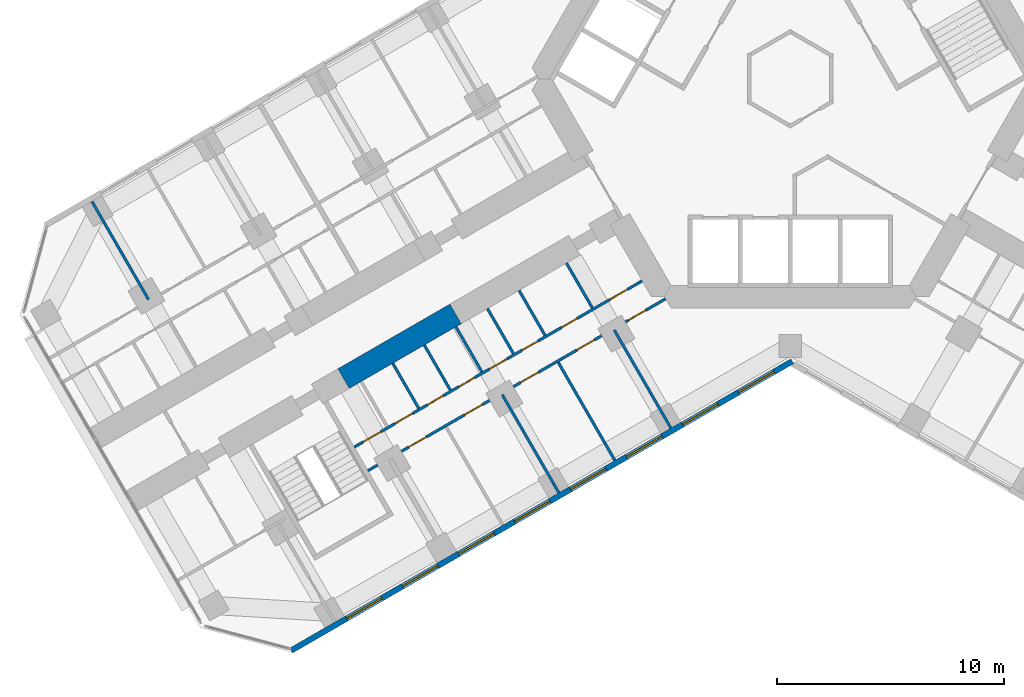
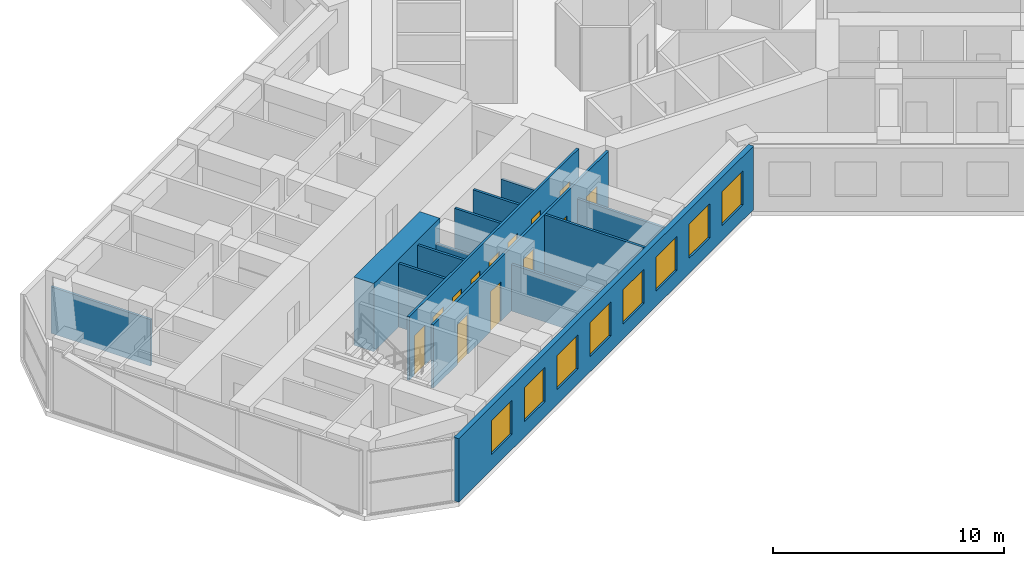
# One storey, part 11 of 21: 14 walls, 13 doors, 8 windows, 21 openings.
"""IFC4 building model written with IfcOpenShell, lengths in metres."""

from ifc_helpers import new_model, si_unit, direction, frame, frame_2d, origin, place, context, subcontext, project, spatial, rectangle, extrude, material, layer, layer_set, type_object, element, fill, save


model = new_model("IFC4")

# Units and contexts
model_context = context("Model", 3, precision=1e-05, world=origin(), true_north=direction((0.0, 1.0)))
body_context = subcontext(model_context, "Body", "Model", "MODEL_VIEW")
ifc_project = project(units=[si_unit("LENGTHUNIT", "METRE"), si_unit("AREAUNIT", "SQUARE_METRE"), si_unit("VOLUMEUNIT", "CUBIC_METRE"), si_unit("PLANEANGLEUNIT", "RADIAN"), si_unit("MASSUNIT", "GRAM", prefix="KILO")], contexts=[model_context])

# Site, building, storey
site_placement = place(None, origin())
site = spatial("IfcSite", under=ifc_project, at=site_placement, CompositionType="ELEMENT")
building_placement = place(site_placement, origin())
building = spatial("IfcBuilding", under=site, at=building_placement, Name="Kosmar Iwan School Tower", CompositionType="ELEMENT")
storey_placement = place(building_placement, frame((0.0, 0.0, 64.60009765625)))
storey = spatial("IfcBuildingStorey", under=building, at=storey_placement, Name="L15", CompositionType="ELEMENT", Elevation=64.60009765625)

# Wall
ifc_material_1 = material(Name="Concrete C50/60", Category="concrete")
ifc_layer_1 = layer(ifc_material_1, 1.0)
ifc_layer_set_1 = layer_set([ifc_layer_1], Name="Corridor buttress wall 1000")
wall_type_1 = type_object("IfcWallType", Name="Corridor buttress wall 1000", PredefinedType="SHEAR", material=ifc_layer_set_1)
wall_1_placement = place(storey_placement, frame((-14.7451171875, -10.360595703125, 0.0), z_axis=(0.0, 0.0, 1.0), x_axis=(-0.866015111908, -0.50001782563, 0.0)))
element("IfcWall", 1, at=wall_1_placement, inside=storey, type_object=wall_type_1, Name="Corridor wall BL bay 2", PredefinedType="SHEAR", context=body_context, shape_type="SweptSolid", body=[
    extrude(rectangle(XDim=5.699951171875, YDim=1.0, at=frame_2d((2.85009765625, 0.0))), origin(), (0.0, 0.0, 1.0), 3.599853515625),
])

# Wall, openings, doors
ifc_material_2 = material(Name="Gypsum board on steel studs", Category="steel")
ifc_layer_2 = layer(ifc_material_2, 0.1201171875)
ifc_layer_set_2 = layer_set([ifc_layer_2], Name="Dwelling partition 120")
wall_type_2 = type_object("IfcWallType", Name="Dwelling partition 120", PredefinedType="PARTITIONING", material=ifc_layer_set_2)
wall_2_placement = place(storey_placement, frame((-6.521728515625, -8.90380859375, 0.0), z_axis=(0.0, 0.0, 1.0), x_axis=(-0.866030734856, -0.4999907662, 0.0)))
wall_2 = element("IfcWall", 2, at=wall_2_placement, inside=storey, type_object=wall_type_2, Name="Partition L15-BL1-W1", PredefinedType="PARTITIONING", context=body_context, shape_type="SweptSolid", body=[
    extrude(rectangle(XDim=14.650146484375, YDim=0.1201171875, at=frame_2d((7.3251953125, 0.0))), origin(), (0.0, 0.0, 1.0), 3.349853515625),
])
opening_1_placement = place(wall_2_placement, frame((0.75, 0.0, 0.0)))
opening_1 = element("IfcOpeningElement", 3, at=opening_1_placement, cuts=wall_2, Name="Opening D2", PredefinedType="OPENING", context=body_context, shape_type="SweptSolid", body=[
    extrude(rectangle(XDim=0.89990234375, YDim=2.10009765625, at=frame_2d((0.449951171875, 1.050048828125))), frame((0.0, 0.072021484375, 0.0), z_axis=(0.0, -1.0, 0.0), x_axis=(1.0, 0.0, 0.0)), (0.0, 0.0, 1.0), 0.14404296875),
])
opening_2_placement = place(wall_2_placement, frame((3.304931640625, 0.0, 0.0)))
opening_2 = element("IfcOpeningElement", 4, at=opening_2_placement, cuts=wall_2, Name="Opening D3", PredefinedType="OPENING", context=body_context, shape_type="SweptSolid", body=[
    extrude(rectangle(XDim=0.800048828125, YDim=2.10009765625, at=frame_2d((0.39990234375, 1.050048828125))), frame((0.0, 0.072021484375, 0.0), z_axis=(0.0, -1.0, 0.0), x_axis=(1.0, 0.0, 0.0)), (0.0, 0.0, 1.0), 0.14404296875),
])
opening_3_placement = place(wall_2_placement, frame((5.313232421875, 0.0, 0.0)))
opening_3 = element("IfcOpeningElement", 5, at=opening_3_placement, cuts=wall_2, Name="Opening D3", PredefinedType="OPENING", context=body_context, shape_type="SweptSolid", body=[
    extrude(rectangle(XDim=0.800048828125, YDim=2.10009765625, at=frame_2d((0.39990234375, 1.050048828125))), frame((0.0, 0.072021484375, 0.0), z_axis=(0.0, -1.0, 0.0), x_axis=(1.0, 0.0, 0.0)), (0.0, 0.0, 1.0), 0.14404296875),
])
opening_4_placement = place(wall_2_placement, frame((6.8701171875, 0.0, 0.0)))
opening_4 = element("IfcOpeningElement", 6, at=opening_4_placement, cuts=wall_2, Name="Opening D2", PredefinedType="OPENING", context=body_context, shape_type="SweptSolid", body=[
    extrude(rectangle(XDim=0.89990234375, YDim=2.10009765625, at=frame_2d((0.449951171875, 1.050048828125))), frame((0.0, 0.072021484375, 0.0), z_axis=(0.0, -1.0, 0.0), x_axis=(1.0, 0.0, 0.0)), (0.0, 0.0, 1.0), 0.14404296875),
])
opening_5_placement = place(wall_2_placement, frame((8.526611328125, 0.0, 0.0)))
opening_5 = element("IfcOpeningElement", 7, at=opening_5_placement, cuts=wall_2, Name="Opening D3", PredefinedType="OPENING", context=body_context, shape_type="SweptSolid", body=[
    extrude(rectangle(XDim=0.800048828125, YDim=2.10009765625, at=frame_2d((0.39990234375, 1.050048828125))), frame((0.0, 0.072021484375, 0.0), z_axis=(0.0, -1.0, 0.0), x_axis=(1.0, 0.0, 0.0)), (0.0, 0.0, 1.0), 0.14404296875),
])
opening_6_placement = place(wall_2_placement, frame((10.13330078125, 0.0, 0.0)))
opening_6 = element("IfcOpeningElement", 8, at=opening_6_placement, cuts=wall_2, Name="Opening D3", PredefinedType="OPENING", context=body_context, shape_type="SweptSolid", body=[
    extrude(rectangle(XDim=0.800048828125, YDim=2.10009765625, at=frame_2d((0.39990234375, 1.050048828125))), frame((0.0, 0.072021484375, 0.0), z_axis=(0.0, -1.0, 0.0), x_axis=(1.0, 0.0, 0.0)), (0.0, 0.0, 1.0), 0.14404296875),
])
opening_7_placement = place(wall_2_placement, frame((11.68994140625, 0.0, 0.0)))
opening_7 = element("IfcOpeningElement", 9, at=opening_7_placement, cuts=wall_2, Name="Opening D2", PredefinedType="OPENING", context=body_context, shape_type="SweptSolid", body=[
    extrude(rectangle(XDim=0.89990234375, YDim=2.10009765625, at=frame_2d((0.449951171875, 1.050048828125))), frame((0.0, 0.072021484375, 0.0), z_axis=(0.0, -1.0, 0.0), x_axis=(1.0, 0.0, 0.0)), (0.0, 0.0, 1.0), 0.14404296875),
])
opening_8_placement = place(wall_2_placement, frame((13.296630859375, 0.0, 0.0)))
opening_8 = element("IfcOpeningElement", 10, at=opening_8_placement, cuts=wall_2, Name="Opening D2", PredefinedType="OPENING", context=body_context, shape_type="SweptSolid", body=[
    extrude(rectangle(XDim=0.89990234375, YDim=2.10009765625, at=frame_2d((0.449951171875, 1.050048828125))), frame((0.0, 0.072021484375, 0.0), z_axis=(0.0, -1.0, 0.0), x_axis=(1.0, 0.0, 0.0)), (0.0, 0.0, 1.0), 0.14404296875),
])
ifc_material_3 = material(Name="Timber door in timber frame", Category="wood")
door_type_1 = type_object("IfcDoorType", Name="Internal door 900x2100", OperationType="SINGLE_SWING_LEFT", PredefinedType="DOOR", material=ifc_material_3)
door_1_placement = place(opening_1_placement, origin())
door_1 = element("IfcDoor", 11, at=door_1_placement, inside=storey, type_object=door_type_1, Name="Entrance hall door L15-BL1-S1", OperationType="SINGLE_SWING_LEFT", OverallHeight=2.10009765625, OverallWidth=0.89990234375, PredefinedType="DOOR", context=body_context, shape_type="SweptSolid", body=[
    extrude(rectangle(XDim=0.89990234375, YDim=2.10009765625, at=frame_2d((0.449951171875, 1.050048828125))), frame((0.0, 0.02490234375, 0.0), z_axis=(0.0, -1.0, 0.0), x_axis=(1.0, 0.0, 0.0)), (0.0, 0.0, 1.0), 0.050048828125),
])
fill(opening_1, door_1)
door_2_placement = place(opening_4_placement, origin())
door_2 = element("IfcDoor", 12, at=door_2_placement, inside=storey, type_object=door_type_1, Name="Pantry door L15-BL1-S4", OperationType="SINGLE_SWING_LEFT", OverallHeight=2.10009765625, OverallWidth=0.89990234375, PredefinedType="DOOR", context=body_context, shape_type="SweptSolid", body=[
    extrude(rectangle(XDim=0.89990234375, YDim=2.10009765625, at=frame_2d((0.449951171875, 1.050048828125))), frame((0.0, 0.02490234375, 0.0), z_axis=(0.0, -1.0, 0.0), x_axis=(1.0, 0.0, 0.0)), (0.0, 0.0, 1.0), 0.050048828125),
])
fill(opening_4, door_2)
door_3_placement = place(opening_7_placement, origin())
door_3 = element("IfcDoor", 13, at=door_3_placement, inside=storey, type_object=door_type_1, Name="Utility room door L15-BL1-S7", OperationType="SINGLE_SWING_RIGHT", OverallHeight=2.10009765625, OverallWidth=0.89990234375, PredefinedType="DOOR", context=body_context, shape_type="SweptSolid", body=[
    extrude(rectangle(XDim=0.89990234375, YDim=2.10009765625, at=frame_2d((0.449951171875, 1.050048828125))), frame((0.0, 0.02490234375, 0.0), z_axis=(0.0, -1.0, 0.0), x_axis=(1.0, 0.0, 0.0)), (0.0, 0.0, 1.0), 0.050048828125),
])
fill(opening_7, door_3)
door_4_placement = place(opening_8_placement, frame((0.89990234375, 0.0, 0.0), z_axis=(0.0, 0.0, 1.0), x_axis=(-1.0, 0.0, 0.0)))
door_4 = element("IfcDoor", 14, at=door_4_placement, inside=storey, type_object=door_type_1, Name="Dressing room door L15-BL1-S8", OperationType="SINGLE_SWING_LEFT", OverallHeight=2.10009765625, OverallWidth=0.89990234375, PredefinedType="DOOR", context=body_context, shape_type="SweptSolid", body=[
    extrude(rectangle(XDim=0.89990234375, YDim=2.10009765625, at=frame_2d((0.449951171875, 1.050048828125))), frame((0.0, 0.02490234375, 0.0), z_axis=(0.0, -1.0, 0.0), x_axis=(1.0, 0.0, 0.0)), (0.0, 0.0, 1.0), 0.050048828125),
])
fill(opening_8, door_4)
ifc_material_4 = material(Name="Timber door in timber frame", Category="wood")
door_type_2 = type_object("IfcDoorType", Name="Sanitary room door 800x2100", OperationType="SINGLE_SWING_LEFT", PredefinedType="DOOR", material=ifc_material_4)
door_5_placement = place(opening_2_placement, origin())
door_5 = element("IfcDoor", 15, at=door_5_placement, inside=storey, type_object=door_type_2, Name="Bathroom door L15-BL1-S2", OperationType="SINGLE_SWING_LEFT", OverallHeight=2.10009765625, OverallWidth=0.800048828125, PredefinedType="DOOR", context=body_context, shape_type="SweptSolid", body=[
    extrude(rectangle(XDim=0.800048828125, YDim=2.10009765625, at=frame_2d((0.39990234375, 1.050048828125))), frame((0.0, 0.02490234375, 0.0), z_axis=(0.0, -1.0, 0.0), x_axis=(1.0, 0.0, 0.0)), (0.0, 0.0, 1.0), 0.050048828125),
])
fill(opening_2, door_5)
door_6_placement = place(opening_3_placement, origin())
door_6 = element("IfcDoor", 16, at=door_6_placement, inside=storey, type_object=door_type_2, Name="Shower room door L15-BL1-S3", OperationType="SINGLE_SWING_LEFT", OverallHeight=2.10009765625, OverallWidth=0.800048828125, PredefinedType="DOOR", context=body_context, shape_type="SweptSolid", body=[
    extrude(rectangle(XDim=0.800048828125, YDim=2.10009765625, at=frame_2d((0.39990234375, 1.050048828125))), frame((0.0, 0.02490234375, 0.0), z_axis=(0.0, -1.0, 0.0), x_axis=(1.0, 0.0, 0.0)), (0.0, 0.0, 1.0), 0.050048828125),
])
fill(opening_3, door_6)
door_7_placement = place(opening_5_placement, origin())
door_7 = element("IfcDoor", 17, at=door_7_placement, inside=storey, type_object=door_type_2, Name="WC door L15-BL1-S5", OperationType="SINGLE_SWING_RIGHT", OverallHeight=2.10009765625, OverallWidth=0.800048828125, PredefinedType="DOOR", context=body_context, shape_type="SweptSolid", body=[
    extrude(rectangle(XDim=0.800048828125, YDim=2.10009765625, at=frame_2d((0.39990234375, 1.050048828125))), frame((0.0, 0.02490234375, 0.0), z_axis=(0.0, -1.0, 0.0), x_axis=(1.0, 0.0, 0.0)), (0.0, 0.0, 1.0), 0.050048828125),
])
fill(opening_5, door_7)
door_8_placement = place(opening_6_placement, origin())
door_8 = element("IfcDoor", 18, at=door_8_placement, inside=storey, type_object=door_type_2, Name="Store door L15-BL1-S6", OperationType="SINGLE_SWING_RIGHT", OverallHeight=2.10009765625, OverallWidth=0.800048828125, PredefinedType="DOOR", context=body_context, shape_type="SweptSolid", body=[
    extrude(rectangle(XDim=0.800048828125, YDim=2.10009765625, at=frame_2d((0.39990234375, 1.050048828125))), frame((0.0, 0.02490234375, 0.0), z_axis=(0.0, -1.0, 0.0), x_axis=(1.0, 0.0, 0.0)), (0.0, 0.0, 1.0), 0.050048828125),
])
fill(opening_6, door_8)

wall_3_placement = place(storey_placement, frame((-5.48876953125, -9.693115234375, 0.0), z_axis=(0.0, 0.0, 1.0), x_axis=(-0.866028061085, -0.499995397393, 0.0)))
wall_3 = element("IfcWall", 19, at=wall_3_placement, inside=storey, type_object=wall_type_2, Name="Partition L15-BL1-W2", PredefinedType="PARTITIONING", context=body_context, shape_type="SweptSolid", body=[
    extrude(rectangle(XDim=15.150146484375, YDim=0.1201171875, at=frame_2d((7.5751953125, 0.0))), origin(), (0.0, 0.0, 1.0), 3.349853515625),
])
opening_9_placement = place(wall_3_placement, frame((1.0, 0.0, 0.0)))
opening_9 = element("IfcOpeningElement", 20, at=opening_9_placement, cuts=wall_3, Name="Opening D2", PredefinedType="OPENING", context=body_context, shape_type="SweptSolid", body=[
    extrude(rectangle(XDim=0.89990234375, YDim=2.10009765625, at=frame_2d((0.449951171875, 1.050048828125))), frame((0.0, 0.072021484375, 0.0), z_axis=(0.0, -1.0, 0.0), x_axis=(1.0, 0.0, 0.0)), (0.0, 0.0, 1.0), 0.14404296875),
])
opening_10_placement = place(wall_3_placement, frame((3.625, 0.0, 0.0)))
opening_10 = element("IfcOpeningElement", 21, at=opening_10_placement, cuts=wall_3, Name="Opening D2", PredefinedType="OPENING", context=body_context, shape_type="SweptSolid", body=[
    extrude(rectangle(XDim=0.89990234375, YDim=2.10009765625, at=frame_2d((0.449951171875, 1.050048828125))), frame((0.0, 0.072021484375, 0.0), z_axis=(0.0, -1.0, 0.0), x_axis=(1.0, 0.0, 0.0)), (0.0, 0.0, 1.0), 0.14404296875),
])
opening_11_placement = place(wall_3_placement, frame((6.47509765625, 0.0, 0.0)))
opening_11 = element("IfcOpeningElement", 22, at=opening_11_placement, cuts=wall_3, Name="Opening D2", PredefinedType="OPENING", context=body_context, shape_type="SweptSolid", body=[
    extrude(rectangle(XDim=0.89990234375, YDim=2.10009765625, at=frame_2d((0.449951171875, 1.050048828125))), frame((0.0, 0.072021484375, 0.0), z_axis=(0.0, -1.0, 0.0), x_axis=(1.0, 0.0, 0.0)), (0.0, 0.0, 1.0), 0.14404296875),
])
opening_12_placement = place(wall_3_placement, frame((9.324951171875, 0.0, 0.0)))
opening_12 = element("IfcOpeningElement", 23, at=opening_12_placement, cuts=wall_3, Name="Opening D2", PredefinedType="OPENING", context=body_context, shape_type="SweptSolid", body=[
    extrude(rectangle(XDim=0.89990234375, YDim=2.10009765625, at=frame_2d((0.449951171875, 1.050048828125))), frame((0.0, 0.072021484375, 0.0), z_axis=(0.0, -1.0, 0.0), x_axis=(1.0, 0.0, 0.0)), (0.0, 0.0, 1.0), 0.14404296875),
])
opening_13_placement = place(wall_3_placement, frame((12.175048828125, 0.0, 0.0)))
opening_13 = element("IfcOpeningElement", 24, at=opening_13_placement, cuts=wall_3, Name="Opening D2", PredefinedType="OPENING", context=body_context, shape_type="SweptSolid", body=[
    extrude(rectangle(XDim=0.89990234375, YDim=2.10009765625, at=frame_2d((0.449951171875, 1.050048828125))), frame((0.0, 0.072021484375, 0.0), z_axis=(0.0, -1.0, 0.0), x_axis=(1.0, 0.0, 0.0)), (0.0, 0.0, 1.0), 0.14404296875),
])
door_9_placement = place(opening_9_placement, origin())
door_9 = element("IfcDoor", 25, at=door_9_placement, inside=storey, type_object=door_type_1, Name="Living room and kitchen door L15-BL1-F1", OperationType="SINGLE_SWING_LEFT", OverallHeight=2.10009765625, OverallWidth=0.89990234375, PredefinedType="DOOR", context=body_context, shape_type="SweptSolid", body=[
    extrude(rectangle(XDim=0.89990234375, YDim=2.10009765625, at=frame_2d((0.449951171875, 1.050048828125))), frame((0.0, 0.02490234375, 0.0), z_axis=(0.0, -1.0, 0.0), x_axis=(1.0, 0.0, 0.0)), (0.0, 0.0, 1.0), 0.050048828125),
])
fill(opening_9, door_9)
door_10_placement = place(opening_10_placement, origin())
door_10 = element("IfcDoor", 26, at=door_10_placement, inside=storey, type_object=door_type_1, Name="Study door L15-BL1-F2", OperationType="SINGLE_SWING_LEFT", OverallHeight=2.10009765625, OverallWidth=0.89990234375, PredefinedType="DOOR", context=body_context, shape_type="SweptSolid", body=[
    extrude(rectangle(XDim=0.89990234375, YDim=2.10009765625, at=frame_2d((0.449951171875, 1.050048828125))), frame((0.0, 0.02490234375, 0.0), z_axis=(0.0, -1.0, 0.0), x_axis=(1.0, 0.0, 0.0)), (0.0, 0.0, 1.0), 0.050048828125),
])
fill(opening_10, door_10)
door_11_placement = place(opening_11_placement, origin())
door_11 = element("IfcDoor", 27, at=door_11_placement, inside=storey, type_object=door_type_1, Name="Bedroom 2 door L15-BL1-F3", OperationType="SINGLE_SWING_RIGHT", OverallHeight=2.10009765625, OverallWidth=0.89990234375, PredefinedType="DOOR", context=body_context, shape_type="SweptSolid", body=[
    extrude(rectangle(XDim=0.89990234375, YDim=2.10009765625, at=frame_2d((0.449951171875, 1.050048828125))), frame((0.0, 0.02490234375, 0.0), z_axis=(0.0, -1.0, 0.0), x_axis=(1.0, 0.0, 0.0)), (0.0, 0.0, 1.0), 0.050048828125),
])
fill(opening_11, door_11)
door_12_placement = place(opening_12_placement, origin())
door_12 = element("IfcDoor", 28, at=door_12_placement, inside=storey, type_object=door_type_1, Name="Study door L15-BL1-F4", OperationType="SINGLE_SWING_LEFT", OverallHeight=2.10009765625, OverallWidth=0.89990234375, PredefinedType="DOOR", context=body_context, shape_type="SweptSolid", body=[
    extrude(rectangle(XDim=0.89990234375, YDim=2.10009765625, at=frame_2d((0.449951171875, 1.050048828125))), frame((0.0, 0.02490234375, 0.0), z_axis=(0.0, -1.0, 0.0), x_axis=(1.0, 0.0, 0.0)), (0.0, 0.0, 1.0), 0.050048828125),
])
fill(opening_12, door_12)
door_13_placement = place(opening_13_placement, origin())
door_13 = element("IfcDoor", 29, at=door_13_placement, inside=storey, type_object=door_type_1, Name="Bedroom 1 door L15-BL1-F5", OperationType="SINGLE_SWING_RIGHT", OverallHeight=2.10009765625, OverallWidth=0.89990234375, PredefinedType="DOOR", context=body_context, shape_type="SweptSolid", body=[
    extrude(rectangle(XDim=0.89990234375, YDim=2.10009765625, at=frame_2d((0.449951171875, 1.050048828125))), frame((0.0, 0.02490234375, 0.0), z_axis=(0.0, -1.0, 0.0), x_axis=(1.0, 0.0, 0.0)), (0.0, 0.0, 1.0), 0.050048828125),
])
fill(opening_13, door_13)

# Walls
wall_4_placement = place(storey_placement, frame((-7.75390625, -11.070068359375, 0.0), z_axis=(0.0, 0.0, 1.0), x_axis=(0.500033033937, -0.866006330792, 0.0)))
element("IfcWall", 30, at=wall_4_placement, inside=storey, type_object=wall_type_2, Name="Partition L15-BL1-X1", PredefinedType="PARTITIONING", context=body_context, shape_type="SweptSolid", body=[
    extrude(rectangle(XDim=4.989990234375, YDim=0.1201171875, at=frame_2d((2.4951171875, 0.0))), origin(), (0.0, 0.0, 1.0), 2.449951171875),
])
wall_5_placement = place(storey_placement, frame((-10.221923828125, -12.4951171875, 0.0), z_axis=(0.0, 0.0, 1.0), x_axis=(0.499996339024, -0.86602751744, 0.0)))
element("IfcWall", 31, at=wall_5_placement, inside=storey, type_object=wall_type_2, Name="Partition L15-BL1-X2", PredefinedType="PARTITIONING", context=body_context, shape_type="SweptSolid", body=[
    extrude(rectangle(XDim=4.98974609375, YDim=0.1201171875, at=frame_2d((2.494873046875, 0.0))), origin(), (0.0, 0.0, 1.0), 3.349853515625),
])
wall_6_placement = place(storey_placement, frame((-12.690185546875, -13.919921875, 0.0), z_axis=(0.0, 0.0, 1.0), x_axis=(0.500011847778, -0.866018563358, 0.0)))
element("IfcWall", 32, at=wall_6_placement, inside=storey, type_object=wall_type_2, Name="Partition L15-BL1-X3", PredefinedType="PARTITIONING", context=body_context, shape_type="SweptSolid", body=[
    extrude(rectangle(XDim=4.990234375, YDim=0.1201171875, at=frame_2d((2.4951171875, 0.0))), origin(), (0.0, 0.0, 1.0), 2.449951171875),
])
wall_7_placement = place(storey_placement, frame((-9.86181640625, -8.11865234375, 0.0), z_axis=(0.0, 0.0, 1.0), x_axis=(0.500014693593, -0.866016920268, 0.0)))
element("IfcWall", 33, at=wall_7_placement, inside=storey, type_object=wall_type_2, Name="Partition L15-BL1-Y1", PredefinedType="PARTITIONING", context=body_context, shape_type="SweptSolid", body=[
    extrude(rectangle(XDim=2.2900390625, YDim=0.1201171875, at=frame_2d((1.14501953125, 0.0))), origin(), (0.0, 0.0, 1.0), 2.449951171875),
])
for number, where, z_axis, x_axis, name in (
    (34, (-11.948974609375, -9.32373046875, 0.0), (0.0, 0.0, 1.0), (0.500014693593, -0.866016920268, 0.0), "Partition L15-BL1-Y2"),
    (35, (-13.340576171875, -10.126953125, 0.0), (0.0, 0.0, 1.0), (0.500014693593, -0.866016920268, 0.0), "Partition L15-BL1-Y3"),
):
    element("IfcWall", number, at=place(storey_placement, frame(where, z_axis=z_axis, x_axis=x_axis)), inside=storey, type_object=wall_type_2, Name=name, PredefinedType="PARTITIONING", context=body_context, shape_type="SweptSolid", body=[
        extrude(rectangle(XDim=2.2900390625, YDim=0.1201171875, at=frame_2d((1.14501953125, 0.0))), origin(), (0.0, 0.0, 1.0), 3.349853515625),
    ])
wall_8_placement = place(storey_placement, frame((-14.73193359375, -10.930419921875, 0.0), z_axis=(0.0, 0.0, 1.0), x_axis=(0.500014693593, -0.866016920268, 0.0)))
element("IfcWall", 36, at=wall_8_placement, inside=storey, type_object=wall_type_2, Name="Partition L15-BL1-Y4", PredefinedType="PARTITIONING", context=body_context, shape_type="SweptSolid", body=[
    extrude(rectangle(XDim=2.2900390625, YDim=0.1201171875, at=frame_2d((1.14501953125, 0.0))), origin(), (0.0, 0.0, 1.0), 2.449951171875),
])
wall_9_placement = place(storey_placement, frame((-16.123291015625, -11.733642578125, 0.0), z_axis=(0.0, 0.0, 1.0), x_axis=(0.500014693593, -0.866016920268, 0.0)))
element("IfcWall", 37, at=wall_9_placement, inside=storey, type_object=wall_type_2, Name="Partition L15-BL1-Y5", PredefinedType="PARTITIONING", context=body_context, shape_type="SweptSolid", body=[
    extrude(rectangle(XDim=2.2900390625, YDim=0.1201171875, at=frame_2d((1.14501953125, 0.0))), origin(), (0.0, 0.0, 1.0), 3.349853515625),
])
wall_10_placement = place(storey_placement, frame((-17.5146484375, -12.536865234375, 0.0), z_axis=(0.0, 0.0, 1.0), x_axis=(0.499968531483, -0.866043571379, 0.0)))
element("IfcWall", 38, at=wall_10_placement, inside=storey, type_object=wall_type_2, Name="Partition L15-BL1-Y6", PredefinedType="PARTITIONING", context=body_context, shape_type="SweptSolid", body=[
    extrude(rectangle(XDim=2.290283203125, YDim=0.1201171875, at=frame_2d((1.14501953125, 0.0))), origin(), (0.0, 0.0, 1.0), 3.349853515625),
])
wall_11_placement = place(storey_placement, frame((-28.27294921875, -9.72998046875, 0.0), z_axis=(0.0, 0.0, 1.0), x_axis=(-0.499975153383, 0.86603974851, 0.0)))
element("IfcWall", 39, at=wall_11_placement, inside=storey, type_object=wall_type_2, Name="Partition L15-BR2-X3", PredefinedType="PARTITIONING", context=body_context, shape_type="SweptSolid", body=[
    extrude(rectangle(XDim=4.989990234375, YDim=0.1201171875, at=frame_2d((2.4951171875, 0.0))), origin(), (0.0, 0.0, 1.0), 2.449951171875),
])

# Wall, openings, windows
ifc_material_5 = material(Name="Black aluminium rainscreen on insulated framing", Category="aluminium")
ifc_layer_3 = layer(ifc_material_5, 0.25)
ifc_layer_set_3 = layer_set([ifc_layer_3], Name="External wall rainscreen 250")
wall_type_3 = type_object("IfcWallType", Name="External wall rainscreen 250", PredefinedType="SOLIDWALL", material=ifc_layer_set_3)
wall_12_placement = place(storey_placement, frame((0.088134765625, -12.44873046875, 0.0), z_axis=(0.0, 0.0, 1.0), x_axis=(-0.866026390279, -0.499998291337, 0.0)))
wall_12 = element("IfcWall", 40, at=wall_12_placement, inside=storey, type_object=wall_type_3, Name="External wall BL L15", PredefinedType="SOLIDWALL", context=body_context, shape_type="SweptSolid", body=[
    extrude(rectangle(XDim=25.4873046875, YDim=0.25, at=frame_2d((12.74365234375, 0.0))), origin(), (0.0, 0.0, 1.0), 3.349853515625),
])
opening_14_placement = place(wall_12_placement, frame((0.927001953125, 0.0, 0.800048828125)))
opening_14 = element("IfcOpeningElement", 41, at=opening_14_placement, cuts=wall_12, Name="Opening W1", PredefinedType="OPENING", context=body_context, shape_type="SweptSolid", body=[
    extrude(rectangle(XDim=1.800048828125, YDim=1.800048828125, at=frame_2d((0.89990234375, 0.89990234375))), frame((0.0, 0.136962890625, 0.0), z_axis=(0.0, -1.0, 0.0), x_axis=(1.0, 0.0, 0.0)), (0.0, 0.0, 1.0), 0.27392578125),
])
opening_15_placement = place(wall_12_placement, frame((3.777099609375, 0.0, 0.800048828125)))
opening_15 = element("IfcOpeningElement", 42, at=opening_15_placement, cuts=wall_12, Name="Opening W1", PredefinedType="OPENING", context=body_context, shape_type="SweptSolid", body=[
    extrude(rectangle(XDim=1.800048828125, YDim=1.800048828125, at=frame_2d((0.89990234375, 0.89990234375))), frame((0.0, 0.136962890625, 0.0), z_axis=(0.0, -1.0, 0.0), x_axis=(1.0, 0.0, 0.0)), (0.0, 0.0, 1.0), 0.27392578125),
])
opening_16_placement = place(wall_12_placement, frame((6.626953125, 0.0, 0.800048828125)))
opening_16 = element("IfcOpeningElement", 43, at=opening_16_placement, cuts=wall_12, Name="Opening W1", PredefinedType="OPENING", context=body_context, shape_type="SweptSolid", body=[
    extrude(rectangle(XDim=1.800048828125, YDim=1.800048828125, at=frame_2d((0.89990234375, 0.89990234375))), frame((0.0, 0.136962890625, 0.0), z_axis=(0.0, -1.0, 0.0), x_axis=(1.0, 0.0, 0.0)), (0.0, 0.0, 1.0), 0.27392578125),
])
opening_17_placement = place(wall_12_placement, frame((9.47705078125, 0.0, 0.800048828125)))
opening_17 = element("IfcOpeningElement", 44, at=opening_17_placement, cuts=wall_12, Name="Opening W1", PredefinedType="OPENING", context=body_context, shape_type="SweptSolid", body=[
    extrude(rectangle(XDim=1.800048828125, YDim=1.800048828125, at=frame_2d((0.89990234375, 0.89990234375))), frame((0.0, 0.136962890625, 0.0), z_axis=(0.0, -1.0, 0.0), x_axis=(1.0, 0.0, 0.0)), (0.0, 0.0, 1.0), 0.27392578125),
])
opening_18_placement = place(wall_12_placement, frame((12.326904296875, 0.0, 0.800048828125)))
opening_18 = element("IfcOpeningElement", 45, at=opening_18_placement, cuts=wall_12, Name="Opening W1", PredefinedType="OPENING", context=body_context, shape_type="SweptSolid", body=[
    extrude(rectangle(XDim=1.800048828125, YDim=1.800048828125, at=frame_2d((0.89990234375, 0.89990234375))), frame((0.0, 0.136962890625, 0.0), z_axis=(0.0, -1.0, 0.0), x_axis=(1.0, 0.0, 0.0)), (0.0, 0.0, 1.0), 0.27392578125),
])
opening_19_placement = place(wall_12_placement, frame((15.177001953125, 0.0, 0.800048828125)))
opening_19 = element("IfcOpeningElement", 46, at=opening_19_placement, cuts=wall_12, Name="Opening W1", PredefinedType="OPENING", context=body_context, shape_type="SweptSolid", body=[
    extrude(rectangle(XDim=1.800048828125, YDim=1.800048828125, at=frame_2d((0.89990234375, 0.89990234375))), frame((0.0, 0.136962890625, 0.0), z_axis=(0.0, -1.0, 0.0), x_axis=(1.0, 0.0, 0.0)), (0.0, 0.0, 1.0), 0.27392578125),
])
opening_20_placement = place(wall_12_placement, frame((18.027099609375, 0.0, 0.800048828125)))
opening_20 = element("IfcOpeningElement", 47, at=opening_20_placement, cuts=wall_12, Name="Opening W1", PredefinedType="OPENING", context=body_context, shape_type="SweptSolid", body=[
    extrude(rectangle(XDim=1.800048828125, YDim=1.800048828125, at=frame_2d((0.89990234375, 0.89990234375))), frame((0.0, 0.136962890625, 0.0), z_axis=(0.0, -1.0, 0.0), x_axis=(1.0, 0.0, 0.0)), (0.0, 0.0, 1.0), 0.27392578125),
])
opening_21_placement = place(wall_12_placement, frame((20.876953125, 0.0, 0.800048828125)))
opening_21 = element("IfcOpeningElement", 48, at=opening_21_placement, cuts=wall_12, Name="Opening W1", PredefinedType="OPENING", context=body_context, shape_type="SweptSolid", body=[
    extrude(rectangle(XDim=1.800048828125, YDim=1.800048828125, at=frame_2d((0.89990234375, 0.89990234375))), frame((0.0, 0.136962890625, 0.0), z_axis=(0.0, -1.0, 0.0), x_axis=(1.0, 0.0, 0.0)), (0.0, 0.0, 1.0), 0.27392578125),
])
ifc_material_6 = material(Name="Black aluminium frame with dark triple glazing", Category="aluminium")
window_type = type_object("IfcWindowType", Name="Window 1800x1800", PartitioningType="SINGLE_PANEL", PredefinedType="WINDOW", material=ifc_material_6)
window_1_placement = place(opening_14_placement, origin())
window_1 = element("IfcWindow", 49, at=window_1_placement, inside=storey, type_object=window_type, Name="Window BL L15 -1", OverallHeight=1.800048828125, OverallWidth=1.800048828125, PartitioningType="SINGLE_PANEL", PredefinedType="WINDOW", context=body_context, shape_type="SweptSolid", body=[
    extrude(rectangle(XDim=1.800048828125, YDim=1.800048828125, at=frame_2d((0.89990234375, 0.89990234375))), frame((0.0, 0.030029296875, 0.0), z_axis=(0.0, -1.0, 0.0), x_axis=(1.0, 0.0, 0.0)), (0.0, 0.0, 1.0), 0.06005859375),
])
fill(opening_14, window_1)
window_2_placement = place(opening_15_placement, origin())
window_2 = element("IfcWindow", 50, at=window_2_placement, inside=storey, type_object=window_type, Name="Window BL L15 0", OverallHeight=1.800048828125, OverallWidth=1.800048828125, PartitioningType="SINGLE_PANEL", PredefinedType="WINDOW", context=body_context, shape_type="SweptSolid", body=[
    extrude(rectangle(XDim=1.800048828125, YDim=1.800048828125, at=frame_2d((0.89990234375, 0.89990234375))), frame((0.0, 0.030029296875, 0.0), z_axis=(0.0, -1.0, 0.0), x_axis=(1.0, 0.0, 0.0)), (0.0, 0.0, 1.0), 0.06005859375),
])
fill(opening_15, window_2)
window_3_placement = place(opening_16_placement, origin())
window_3 = element("IfcWindow", 51, at=window_3_placement, inside=storey, type_object=window_type, Name="Window BL L15 1", OverallHeight=1.800048828125, OverallWidth=1.800048828125, PartitioningType="SINGLE_PANEL", PredefinedType="WINDOW", context=body_context, shape_type="SweptSolid", body=[
    extrude(rectangle(XDim=1.800048828125, YDim=1.800048828125, at=frame_2d((0.89990234375, 0.89990234375))), frame((0.0, 0.030029296875, 0.0), z_axis=(0.0, -1.0, 0.0), x_axis=(1.0, 0.0, 0.0)), (0.0, 0.0, 1.0), 0.06005859375),
])
fill(opening_16, window_3)
window_4_placement = place(opening_17_placement, origin())
window_4 = element("IfcWindow", 52, at=window_4_placement, inside=storey, type_object=window_type, Name="Window BL L15 2", OverallHeight=1.800048828125, OverallWidth=1.800048828125, PartitioningType="SINGLE_PANEL", PredefinedType="WINDOW", context=body_context, shape_type="SweptSolid", body=[
    extrude(rectangle(XDim=1.800048828125, YDim=1.800048828125, at=frame_2d((0.89990234375, 0.89990234375))), frame((0.0, 0.030029296875, 0.0), z_axis=(0.0, -1.0, 0.0), x_axis=(1.0, 0.0, 0.0)), (0.0, 0.0, 1.0), 0.06005859375),
])
fill(opening_17, window_4)
window_5_placement = place(opening_18_placement, origin())
window_5 = element("IfcWindow", 53, at=window_5_placement, inside=storey, type_object=window_type, Name="Window BL L15 3", OverallHeight=1.800048828125, OverallWidth=1.800048828125, PartitioningType="SINGLE_PANEL", PredefinedType="WINDOW", context=body_context, shape_type="SweptSolid", body=[
    extrude(rectangle(XDim=1.800048828125, YDim=1.800048828125, at=frame_2d((0.89990234375, 0.89990234375))), frame((0.0, 0.030029296875, 0.0), z_axis=(0.0, -1.0, 0.0), x_axis=(1.0, 0.0, 0.0)), (0.0, 0.0, 1.0), 0.06005859375),
])
fill(opening_18, window_5)
window_6_placement = place(opening_19_placement, origin())
window_6 = element("IfcWindow", 54, at=window_6_placement, inside=storey, type_object=window_type, Name="Window BL L15 4", OverallHeight=1.800048828125, OverallWidth=1.800048828125, PartitioningType="SINGLE_PANEL", PredefinedType="WINDOW", context=body_context, shape_type="SweptSolid", body=[
    extrude(rectangle(XDim=1.800048828125, YDim=1.800048828125, at=frame_2d((0.89990234375, 0.89990234375))), frame((0.0, 0.030029296875, 0.0), z_axis=(0.0, -1.0, 0.0), x_axis=(1.0, 0.0, 0.0)), (0.0, 0.0, 1.0), 0.06005859375),
])
fill(opening_19, window_6)
window_7_placement = place(opening_20_placement, origin())
window_7 = element("IfcWindow", 55, at=window_7_placement, inside=storey, type_object=window_type, Name="Window BL L15 5", OverallHeight=1.800048828125, OverallWidth=1.800048828125, PartitioningType="SINGLE_PANEL", PredefinedType="WINDOW", context=body_context, shape_type="SweptSolid", body=[
    extrude(rectangle(XDim=1.800048828125, YDim=1.800048828125, at=frame_2d((0.89990234375, 0.89990234375))), frame((0.0, 0.030029296875, 0.0), z_axis=(0.0, -1.0, 0.0), x_axis=(1.0, 0.0, 0.0)), (0.0, 0.0, 1.0), 0.06005859375),
])
fill(opening_20, window_7)
window_8_placement = place(opening_21_placement, origin())
window_8 = element("IfcWindow", 56, at=window_8_placement, inside=storey, type_object=window_type, Name="Window BL L15 6", OverallHeight=1.800048828125, OverallWidth=1.800048828125, PartitioningType="SINGLE_PANEL", PredefinedType="WINDOW", context=body_context, shape_type="SweptSolid", body=[
    extrude(rectangle(XDim=1.800048828125, YDim=1.800048828125, at=frame_2d((0.89990234375, 0.89990234375))), frame((0.0, 0.030029296875, 0.0), z_axis=(0.0, -1.0, 0.0), x_axis=(1.0, 0.0, 0.0)), (0.0, 0.0, 1.0), 0.06005859375),
])
fill(opening_21, window_8)

save(model, "model.ifc")
